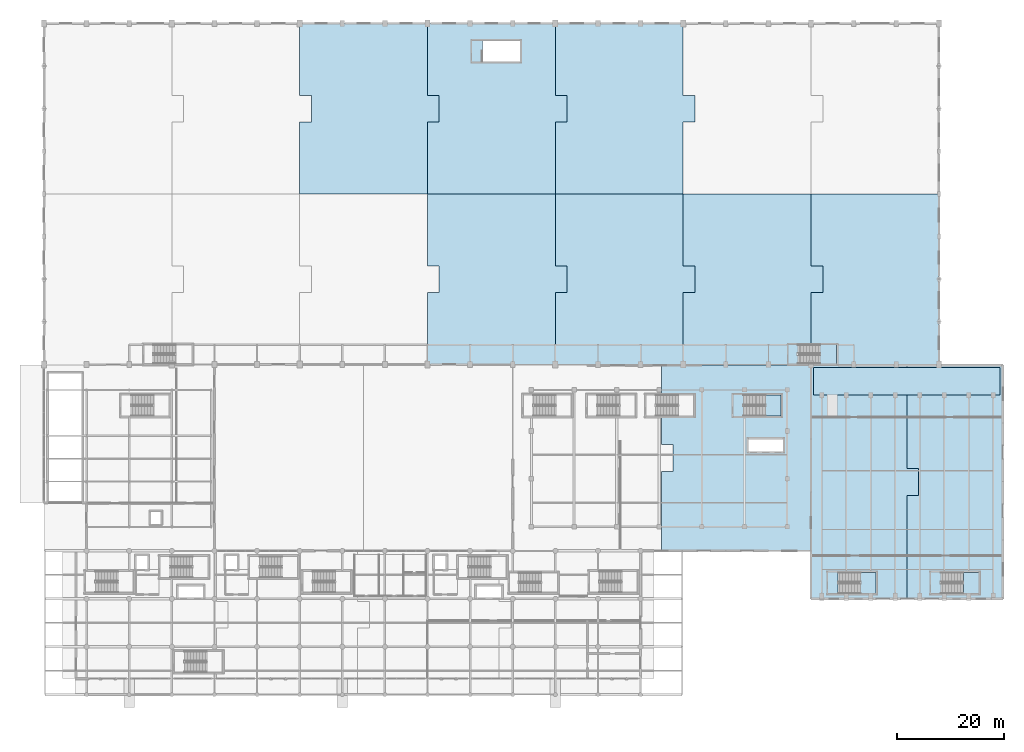
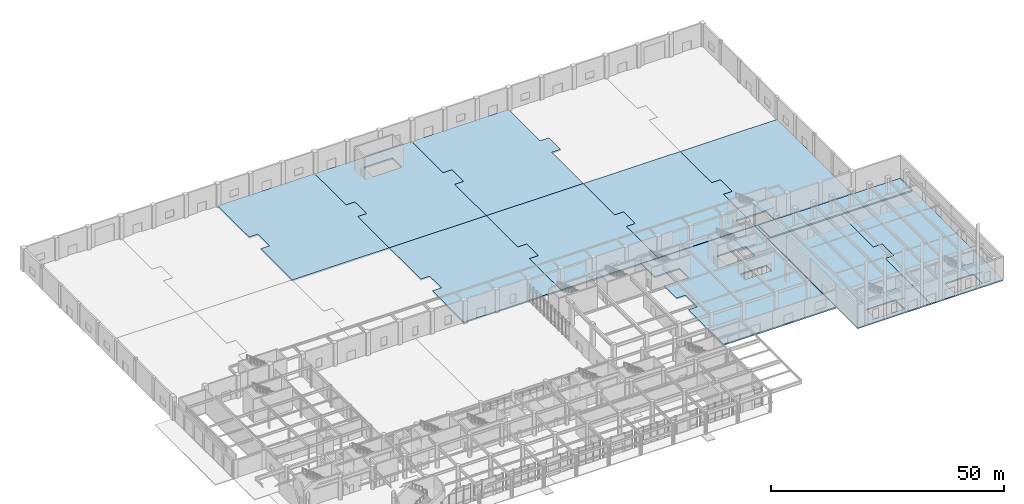
# One storey, part 26 of 49: 15 slabs, 4 elements without a shape of their own.
"""IFC4 building model written with IfcOpenShell, lengths in metres."""

from ifc_helpers import new_model, si_unit, direction, frame, origin, place, context, subcontext, project, spatial, polyline, outline, extrude, material, layer, layer_set, type_object, element, aggregate, save


model = new_model("IFC4")

# Units and contexts
model_context = context("Model", 3, precision=1e-05, world=origin(), true_north=direction((0.0, 1.0)))
body_context = subcontext(model_context, "Body", "Model", "MODEL_VIEW")
ifc_project = project(units=[si_unit("LENGTHUNIT", "METRE"), si_unit("AREAUNIT", "SQUARE_METRE"), si_unit("VOLUMEUNIT", "CUBIC_METRE"), si_unit("PLANEANGLEUNIT", "RADIAN"), si_unit("MASSUNIT", "GRAM", prefix="KILO")], contexts=[model_context])

# Site, building, storey
site_placement = place(None, origin())
site = spatial("IfcSite", under=ifc_project, at=site_placement, CompositionType="ELEMENT")
building_placement = place(site_placement, origin())
building = spatial("IfcBuilding", under=site, at=building_placement, Name="Tlacozan Convention Centre", CompositionType="ELEMENT")
storey_placement = place(building_placement, origin())
storey = spatial("IfcBuildingStorey", under=building, at=storey_placement, Name="L00", CompositionType="ELEMENT", Elevation=0.0)

# Slabs
ifc_material = material(Name="Concrete C40/50", Category="concrete")
ifc_layer_1 = layer(ifc_material, 0.3798828125)
ifc_layer_set_1 = layer_set([ifc_layer_1], Name="Concrete C40/50")
slab_type_1 = type_object("IfcSlabType", Name="Heavy Exhibition Floor Slab 380", PredefinedType="FLOOR", material=ifc_layer_set_1)
slab_1_placement = place(storey_placement, frame((0.0, 0.0, -0.3798828125)))
element("IfcSlab", 1, at=slab_1_placement, inside=storey, type_object=slab_type_1, Name="L00 Heavy Exhibition Floor Slab 380 35", PredefinedType="FLOOR", context=body_context, shape_type="SweptSolid", body=[
    extrude(outline(polyline([(48.0, 107.5), (50.199951171875, 107.5), (50.199951171875, 112.5), (48.0, 112.5), (48.0, 126.0), (72.0, 126.0), (72.0, 112.5), (74.199951171875, 112.5), (74.199951171875, 107.5), (72.0, 107.5), (72.0, 94.0), (48.0, 94.0), (48.0, 107.5)])), origin(), (0.0, 0.0, 1.0), 0.3798828125),
])
slab_2_placement = place(storey_placement, frame((0.0, 0.0, -0.3798828125)))
element("IfcSlab", 2, at=slab_2_placement, inside=storey, type_object=slab_type_1, Name="L00 Heavy Exhibition Floor Slab 380 36", PredefinedType="FLOOR", context=body_context, shape_type="SweptSolid", body=[
    extrude(outline(polyline([(72.0, 75.5), (74.199951171875, 75.5), (74.199951171875, 80.5), (72.0, 80.5), (72.0, 94.0), (96.0, 94.0), (96.0, 80.5), (98.199951171875, 80.5), (98.199951171875, 75.5), (96.0, 75.5), (96.0, 62.0), (72.0, 62.0), (72.0, 75.5)])), origin(), (0.0, 0.0, 1.0), 0.3798828125),
])
slab_3_placement = place(storey_placement, frame((0.0, 0.0, -0.3798828125)))
element("IfcSlab", 3, at=slab_3_placement, inside=storey, type_object=slab_type_1, Name="L00 Heavy Exhibition Floor Slab 380 37", PredefinedType="FLOOR", context=body_context, shape_type="SweptSolid", body=[
    extrude(outline(polyline([(72.0, 107.5), (74.199951171875, 107.5), (74.199951171875, 112.5), (72.0, 112.5), (72.0, 126.0), (96.0, 126.0), (96.0, 112.5), (98.199951171875, 112.5), (98.199951171875, 107.5), (96.0, 107.5), (96.0, 94.0), (72.0, 94.0), (72.0, 107.5)]), holes=[polyline([(82.280029296875, 118.800048828125), (89.39990234375, 118.800048828125), (89.39990234375, 122.760009765625), (82.280029296875, 122.760009765625), (82.280029296875, 118.800048828125)])]), origin(), (0.0, 0.0, 1.0), 0.3798828125),
])
slab_4_placement = place(storey_placement, frame((0.0, 0.0, -0.3798828125)))
element("IfcSlab", 4, at=slab_4_placement, inside=storey, type_object=slab_type_1, Name="L00 Heavy Exhibition Floor Slab 380 38", PredefinedType="FLOOR", context=body_context, shape_type="SweptSolid", body=[
    extrude(outline(polyline([(96.0, 75.5), (98.199951171875, 75.5), (98.199951171875, 80.5), (96.0, 80.5), (96.0, 94.0), (120.0, 94.0), (120.0, 80.5), (122.199951171875, 80.5), (122.199951171875, 75.5), (120.0, 75.5), (120.0, 62.0), (96.0, 62.0), (96.0, 75.5)])), origin(), (0.0, 0.0, 1.0), 0.3798828125),
])
slab_5_placement = place(storey_placement, frame((0.0, 0.0, -0.3798828125)))
element("IfcSlab", 5, at=slab_5_placement, inside=storey, type_object=slab_type_1, Name="L00 Heavy Exhibition Floor Slab 380 39", PredefinedType="FLOOR", context=body_context, shape_type="SweptSolid", body=[
    extrude(outline(polyline([(96.0, 107.5), (98.199951171875, 107.5), (98.199951171875, 112.5), (96.0, 112.5), (96.0, 126.0), (120.0, 126.0), (120.0, 112.5), (122.199951171875, 112.5), (122.199951171875, 107.5), (120.0, 107.5), (120.0, 94.0), (96.0, 94.0), (96.0, 107.5)])), origin(), (0.0, 0.0, 1.0), 0.3798828125),
])
slab_6_placement = place(storey_placement, frame((0.0, 0.0, -0.3798828125)))
element("IfcSlab", 6, at=slab_6_placement, inside=storey, type_object=slab_type_1, Name="L00 Heavy Exhibition Floor Slab 380 40", PredefinedType="FLOOR", context=body_context, shape_type="SweptSolid", body=[
    extrude(outline(polyline([(120.0, 75.5), (122.199951171875, 75.5), (122.199951171875, 80.5), (120.0, 80.5), (120.0, 94.0), (144.0, 94.0), (144.0, 80.5), (146.199951171875, 80.5), (146.199951171875, 75.5), (144.0, 75.5), (144.0, 65.699951171875), (141.5, 65.699951171875), (141.5, 62.10009765625), (144.0, 62.10009765625), (144.0, 62.0), (120.0, 62.0), (120.0, 75.5)])), origin(), (0.0, 0.0, 1.0), 0.3798828125),
])
slab_7_placement = place(storey_placement, frame((0.0, 0.0, -0.3798828125)))
element("IfcSlab", 7, at=slab_7_placement, inside=storey, type_object=slab_type_1, Name="L00 Heavy Exhibition Floor Slab 380 42", PredefinedType="FLOOR", context=body_context, shape_type="SweptSolid", body=[
    extrude(outline(polyline([(168.0, 94.0), (168.0, 62.0), (144.0, 62.0), (144.0, 62.10009765625), (148.800048828125, 62.10009765625), (148.800048828125, 65.699951171875), (144.0, 65.699951171875), (144.0, 75.5), (146.199951171875, 75.5), (146.199951171875, 80.5), (144.0, 80.5), (144.0, 94.0), (168.0, 94.0)])), origin(), (0.0, 0.0, 1.0), 0.3798828125),
])
ifc_layer_2 = layer(ifc_material, 0.320068359375)
ifc_layer_set_2 = layer_set([ifc_layer_2], Name="Concrete C40/50")
slab_type_2 = type_object("IfcSlabType", Name="Plenary Stalls Tier Slab 320", PredefinedType="FLOOR", material=ifc_layer_set_2)
slab_8_placement = place(storey_placement, frame((0.0, 0.0, -0.320068359375)))
element("IfcSlab", 8, at=slab_8_placement, inside=storey, type_object=slab_type_2, Name="L00 Plenary Stalls Tier Slab 320 46", PredefinedType="FLOOR", context=body_context, shape_type="SweptSolid", body=[
    extrude(outline(polyline([(144.0, 18.0), (144.0, 61.85009765625), (162.0, 61.85009765625), (162.0, 42.425048828125), (164.199951171875, 42.425048828125), (164.199951171875, 37.425048828125), (162.0, 37.425048828125), (162.0, 18.0), (144.0, 18.0)]), holes=[polyline([(149.080078125, 19.0), (156.199951171875, 19.0), (156.199951171875, 22.9599609375), (149.080078125, 22.9599609375), (149.080078125, 19.0)])]), origin(), (0.0, 0.0, 1.0), 0.320068359375),
])
slab_9_placement = place(storey_placement, frame((0.0, 0.0, -0.320068359375)))
element("IfcSlab", 9, at=slab_9_placement, inside=storey, type_object=slab_type_2, Name="L00 Plenary Stalls Tier Slab 320 47", PredefinedType="FLOOR", context=body_context, shape_type="SweptSolid", body=[
    extrude(outline(polyline([(180.0, 61.85009765625), (180.0, 18.0), (162.0, 18.0), (162.0, 37.425048828125), (164.199951171875, 37.425048828125), (164.199951171875, 42.425048828125), (162.0, 42.425048828125), (162.0, 61.85009765625), (180.0, 61.85009765625)]), holes=[polyline([(168.3798828125, 19.0), (175.5, 19.0), (175.5, 22.9599609375), (168.3798828125, 22.9599609375), (168.3798828125, 19.0)])]), origin(), (0.0, 0.0, 1.0), 0.320068359375),
])
slab_10_placement = place(storey_placement, origin())
element("IfcSlab", 10, at=slab_10_placement, inside=storey, type_object=slab_type_2, Name="L00 Plenary Stage Raised Platform Slab", PredefinedType="FLOOR", context=body_context, shape_type="SweptSolid", body=[
    extrude(outline(polyline([(144.5, 56.25), (179.5, 56.25), (179.5, 61.39990234375), (144.5, 61.39990234375), (144.5, 56.25)])), origin(), (0.0, 0.0, 1.0), 0.320068359375),
])
ifc_layer_3 = layer(ifc_material, 0.360107421875)
ifc_layer_set_3 = layer_set([ifc_layer_3], Name="Concrete C40/50")
slab_type_3 = type_object("IfcSlabType", Name="Podium Ground Floor Slab 360", PredefinedType="FLOOR", material=ifc_layer_set_3)
slab_11_placement = place(storey_placement, frame((0.0, 0.0, -0.360107421875)))
element("IfcSlab", 11, at=slab_11_placement, inside=storey, type_object=slab_type_3, Name="L00 Podium Ground Floor Slab 360 45", PredefinedType="FLOOR", context=body_context, shape_type="SweptSolid", body=[
    extrude(outline(polyline([(143.85009765625, 61.85009765625), (143.85009765625, 27.0), (115.925048828125, 27.0), (115.925048828125, 41.925048828125), (118.125, 41.925048828125), (118.125, 46.925048828125), (115.925048828125, 46.925048828125), (115.925048828125, 52.300048828125), (122.0, 52.300048828125), (122.0, 56.260009765625), (115.925048828125, 56.260009765625), (115.925048828125, 61.85009765625), (143.85009765625, 61.85009765625)]), holes=[polyline([(138.72998046875, 47.929931640625), (132.27001953125, 47.929931640625), (132.27001953125, 45.669921875), (138.72998046875, 45.669921875), (138.72998046875, 47.929931640625)]), polyline([(131.280029296875, 52.300048828125), (138.39990234375, 52.300048828125), (138.39990234375, 56.260009765625), (131.280029296875, 56.260009765625), (131.280029296875, 52.300048828125)])]), origin(), (0.0, 0.0, 1.0), 0.360107421875),
])

# Stair, slab
stair_type_1 = type_object("IfcStairType", Name="Protected Dogleg Stair W188 H60", PredefinedType="HALF_TURN_STAIR", material=ifc_material)
stair_1_placement = place(storey_placement, origin())
stair_1 = element("IfcStair", 12, at=stair_1_placement, inside=storey, type_object=stair_type_1, Name="L00 Ballroom and Plenary Hub Core Stair ST-03", PredefinedType="HALF_TURN_STAIR")
ifc_layer_4 = layer(ifc_material, 0.199951171875)
ifc_layer_set_4 = layer_set([ifc_layer_4], Name="Concrete C40/50")
slab_type_4 = type_object("IfcSlabType", Name="Stair Half Landing Slab 200", PredefinedType="LANDING", material=ifc_layer_set_4)
slab_12_placement = place(storey_placement, frame((0.0, 0.0, 2.800048828125)))
slab_12 = element("IfcSlab", 13, at=slab_12_placement, type_object=slab_type_4, Name="ST-03 landing 1", PredefinedType="LANDING", context=body_context, shape_type="SweptSolid", body=[
    extrude(outline(polyline([(135.47998046875, 52.300048828125), (138.39990234375, 52.300048828125), (138.39990234375, 56.260009765625), (135.47998046875, 56.260009765625), (135.47998046875, 52.300048828125)])), origin(), (0.0, 0.0, 1.0), 0.199951171875),
])
aggregate(stair_1, [slab_12])

stair_2_placement = place(storey_placement, origin())
stair_2 = element("IfcStair", 14, at=stair_2_placement, inside=storey, type_object=stair_type_1, Name="L00 Plenary South-East Stair", PredefinedType="HALF_TURN_STAIR")
slab_13_placement = place(storey_placement, frame((0.0, 0.0, 2.800048828125)))
slab_13 = element("IfcSlab", 15, at=slab_13_placement, type_object=slab_type_4, Name="ST-07 landing 1", PredefinedType="LANDING", context=body_context, shape_type="SweptSolid", body=[
    extrude(outline(polyline([(172.580078125, 19.0), (175.5, 19.0), (175.5, 22.9599609375), (172.580078125, 22.9599609375), (172.580078125, 19.0)])), origin(), (0.0, 0.0, 1.0), 0.199951171875),
])
aggregate(stair_2, [slab_13])

stair_3_placement = place(storey_placement, origin())
stair_3 = element("IfcStair", 16, at=stair_3_placement, inside=storey, type_object=stair_type_1, Name="L00 Plenary South-West Stair", PredefinedType="HALF_TURN_STAIR")
slab_14_placement = place(storey_placement, frame((0.0, 0.0, 2.800048828125)))
slab_14 = element("IfcSlab", 17, at=slab_14_placement, type_object=slab_type_4, Name="ST-08 landing 1", PredefinedType="LANDING", context=body_context, shape_type="SweptSolid", body=[
    extrude(outline(polyline([(153.280029296875, 19.0), (156.199951171875, 19.0), (156.199951171875, 22.9599609375), (153.280029296875, 22.9599609375), (153.280029296875, 19.0)])), origin(), (0.0, 0.0, 1.0), 0.199951171875),
])
aggregate(stair_3, [slab_14])

stair_type_2 = type_object("IfcStairType", Name="Protected Dogleg Stair W170 H60", PredefinedType="HALF_TURN_STAIR", material=ifc_material)
stair_4_placement = place(storey_placement, origin())
stair_4 = element("IfcStair", 18, at=stair_4_placement, inside=storey, type_object=stair_type_2, Name="L00 Exhibition East Stair", PredefinedType="HALF_TURN_STAIR")
slab_15_placement = place(storey_placement, frame((0.0, 0.0, 2.800048828125)))
slab_15 = element("IfcSlab", 19, at=slab_15_placement, type_object=slab_type_4, Name="ST-11 landing 1", PredefinedType="LANDING", context=body_context, shape_type="SweptSolid", body=[
    extrude(outline(polyline([(145.699951171875, 62.10009765625), (148.800048828125, 62.10009765625), (148.800048828125, 65.699951171875), (145.699951171875, 65.699951171875), (145.699951171875, 62.10009765625)])), origin(), (0.0, 0.0, 1.0), 0.199951171875),
])
aggregate(stair_4, [slab_15])

save(model, "model.ifc")
